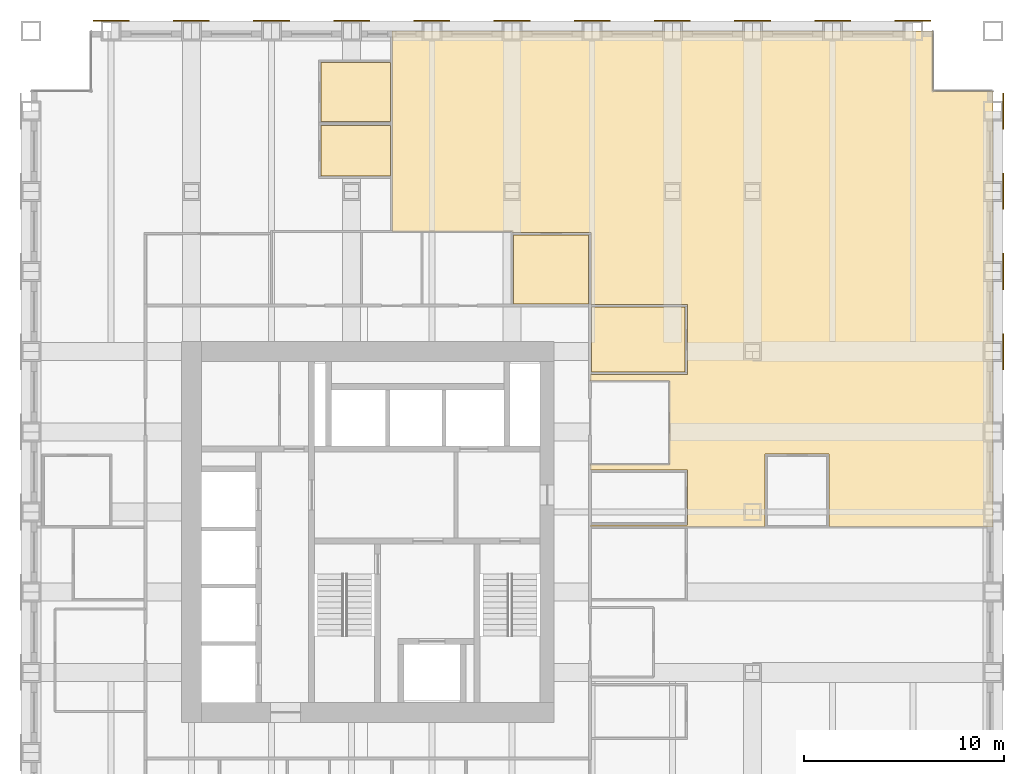
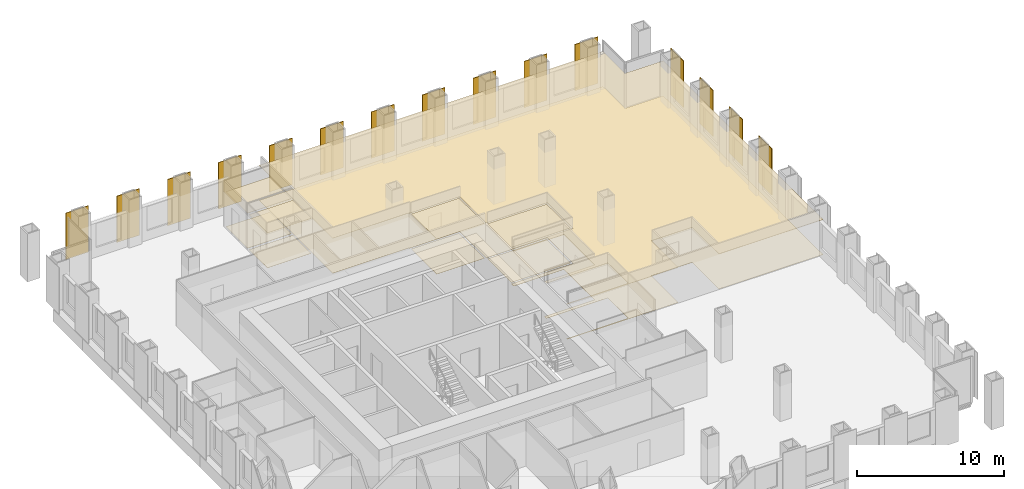
# One storey, part 16 of 16: 15 shading devices, 10 coverings.
"""IFC4 building model written with IfcOpenShell, lengths in metres."""

from ifc_helpers import new_model, si_unit, direction, frame, origin, origin_2d, place, context, subcontext, project, spatial, polyline, rectangle, outline, extrude, material, layer, layer_set, type_object, element, save


model = new_model("IFC4")

# Units and contexts
model_context = context("Model", 3, precision=1e-05, world=origin(), true_north=direction((0.0, 1.0)))
body_context = subcontext(model_context, "Body", "Model", "MODEL_VIEW")
ifc_project = project(units=[si_unit("LENGTHUNIT", "METRE"), si_unit("AREAUNIT", "SQUARE_METRE"), si_unit("VOLUMEUNIT", "CUBIC_METRE"), si_unit("PLANEANGLEUNIT", "RADIAN"), si_unit("MASSUNIT", "GRAM", prefix="KILO")], contexts=[model_context])

# Site, building, storey
site_placement = place(None, origin())
site = spatial("IfcSite", under=ifc_project, at=site_placement, CompositionType="ELEMENT")
building_placement = place(site_placement, origin())
building = spatial("IfcBuilding", under=site, at=building_placement, Name="Rimbunsela Tower", CompositionType="ELEMENT")
storey_placement = place(building_placement, frame((0.0, 0.0, 129.39990234375)))
storey = spatial("IfcBuildingStorey", under=building, at=storey_placement, Name="L31", CompositionType="ELEMENT", Elevation=129.39990234375)

# Coverings
ifc_material_1 = material(Name="Nylon carpet tile", Category="textile")
ifc_layer_1 = layer(ifc_material_1, 0.010009765625)
ifc_layer_set_1 = layer_set([ifc_layer_1], Name="Carpet tile 10")
covering_type_1 = type_object("IfcCoveringType", Name="Carpet tile 10", PredefinedType="FLOORING", material=ifc_layer_set_1)
covering_1_placement = place(storey_placement, origin())
element("IfcCovering", 1, at=covering_1_placement, inside=storey, type_object=covering_type_1, Name="Floor finish Open office", PredefinedType="FLOORING", context=body_context, shape_type="SweptSolid", body=[
    extrude(outline(polyline([(49.824951171875, 27.2509765625), (49.824951171875, 30.89990234375), (46.625, 30.89990234375), (46.625, 27.2509765625), (37.89990234375, 27.2509765625), (37.89990234375, 27.35009765625), (42.75, 27.35009765625), (42.75, 30.10009765625), (37.89990234375, 30.10009765625), (37.89990234375, 30.3759765625), (41.85009765625, 30.3759765625), (41.85009765625, 34.52587890625), (37.89990234375, 34.52587890625), (37.89990234375, 34.85009765625), (42.75, 34.85009765625), (42.75, 38.35009765625), (37.949951171875, 38.35009765625), (37.949951171875, 41.949951171875), (37.89990234375, 41.949951171875), (34.0, 41.949951171875), (34.0, 42.0), (28.0009765625, 42.0), (28.0009765625, 52.0), (37.89990234375, 52.0), (55.0, 52.0), (55.0, 49.0), (58.0, 49.0), (58.0, 27.2509765625), (49.824951171875, 27.2509765625)])), origin(), (0.0, 0.0, 1.0), 0.010009765625),
])
covering_2_placement = place(storey_placement, origin())
element("IfcCovering", 2, at=covering_2_placement, inside=storey, type_object=covering_type_1, Name="Floor finish Meeting room", PredefinedType="FLOORING", context=body_context, shape_type="SweptSolid", body=[
    extrude(outline(polyline([(37.824951171875, 38.375), (37.824951171875, 41.824951171875), (34.074951171875, 41.824951171875), (34.074951171875, 38.375), (37.824951171875, 38.375)])), origin(), (0.0, 0.0, 1.0), 0.010009765625),
])
covering_3_placement = place(storey_placement, origin())
element("IfcCovering", 3, at=covering_3_placement, inside=storey, type_object=covering_type_1, Name="Floor finish Print and copy room", PredefinedType="FLOORING", context=body_context, shape_type="SweptSolid", body=[
    extrude(outline(polyline([(27.925048828125, 44.77490234375), (27.925048828125, 47.27490234375), (24.47509765625, 47.27490234375), (24.47509765625, 44.77490234375), (27.925048828125, 44.77490234375)])), origin(), (0.0, 0.0, 1.0), 0.010009765625),
])
covering_4_placement = place(storey_placement, origin())
element("IfcCovering", 4, at=covering_4_placement, inside=storey, type_object=covering_type_1, Name="Floor finish Office", PredefinedType="FLOORING", context=body_context, shape_type="SweptSolid", body=[
    extrude(outline(polyline([(27.925048828125, 47.47509765625), (27.925048828125, 50.425048828125), (24.47509765625, 50.425048828125), (24.47509765625, 47.47509765625), (27.925048828125, 47.47509765625)])), origin(), (0.0, 0.0, 1.0), 0.010009765625),
])
covering_5_placement = place(storey_placement, origin())
element("IfcCovering", 5, at=covering_5_placement, inside=storey, type_object=covering_type_1, Name="Floor finish Pantry", PredefinedType="FLOORING", context=body_context, shape_type="SweptSolid", body=[
    extrude(outline(polyline([(42.625, 34.97509765625), (42.625, 38.22509765625), (37.97509765625, 38.22509765625), (37.97509765625, 34.97509765625), (42.625, 34.97509765625)])), origin(), (0.0, 0.0, 1.0), 0.010009765625),
])
ifc_material_2 = material(Name="Mineral fibre ceiling tile", Category="gypsum")
ifc_layer_2 = layer(ifc_material_2, 0.02001953125)
ifc_layer_set_2 = layer_set([ifc_layer_2], Name="Ceiling 600 grid")
covering_type_2 = type_object("IfcCoveringType", Name="Ceiling 600 grid", PredefinedType="CEILING", material=ifc_layer_set_2)
covering_6_placement = place(storey_placement, frame((0.0, 0.0, 2.900146484375)))
element("IfcCovering", 6, at=covering_6_placement, inside=storey, type_object=covering_type_2, Name="Ceiling Open office", PredefinedType="CEILING", context=body_context, shape_type="SweptSolid", body=[
    extrude(outline(polyline([(49.824951171875, 27.2509765625), (49.824951171875, 30.89990234375), (46.625, 30.89990234375), (46.625, 27.2509765625), (37.89990234375, 27.2509765625), (37.89990234375, 27.35009765625), (42.75, 27.35009765625), (42.75, 30.10009765625), (37.89990234375, 30.10009765625), (37.89990234375, 30.3759765625), (41.85009765625, 30.3759765625), (41.85009765625, 34.52587890625), (37.89990234375, 34.52587890625), (37.89990234375, 34.85009765625), (42.75, 34.85009765625), (42.75, 38.35009765625), (37.949951171875, 38.35009765625), (37.949951171875, 41.949951171875), (37.89990234375, 41.949951171875), (34.0, 41.949951171875), (34.0, 42.0), (28.0009765625, 42.0), (28.0009765625, 52.0), (37.89990234375, 52.0), (55.0, 52.0), (55.0, 49.0), (58.0, 49.0), (58.0, 27.2509765625), (49.824951171875, 27.2509765625)])), origin(), (0.0, 0.0, 1.0), 0.02001953125),
])
covering_7_placement = place(storey_placement, frame((0.0, 0.0, 2.900146484375)))
element("IfcCovering", 7, at=covering_7_placement, inside=storey, type_object=covering_type_2, Name="Ceiling Meeting room", PredefinedType="CEILING", context=body_context, shape_type="SweptSolid", body=[
    extrude(outline(polyline([(37.824951171875, 38.375), (37.824951171875, 41.824951171875), (34.074951171875, 41.824951171875), (34.074951171875, 38.375), (37.824951171875, 38.375)])), origin(), (0.0, 0.0, 1.0), 0.02001953125),
])
covering_8_placement = place(storey_placement, frame((0.0, 0.0, 2.900146484375)))
element("IfcCovering", 8, at=covering_8_placement, inside=storey, type_object=covering_type_2, Name="Ceiling Print and copy room", PredefinedType="CEILING", context=body_context, shape_type="SweptSolid", body=[
    extrude(outline(polyline([(27.925048828125, 44.77490234375), (27.925048828125, 47.27490234375), (24.47509765625, 47.27490234375), (24.47509765625, 44.77490234375), (27.925048828125, 44.77490234375)])), origin(), (0.0, 0.0, 1.0), 0.02001953125),
])
covering_9_placement = place(storey_placement, frame((0.0, 0.0, 2.900146484375)))
element("IfcCovering", 9, at=covering_9_placement, inside=storey, type_object=covering_type_2, Name="Ceiling Office", PredefinedType="CEILING", context=body_context, shape_type="SweptSolid", body=[
    extrude(outline(polyline([(27.925048828125, 47.47509765625), (27.925048828125, 50.425048828125), (24.47509765625, 50.425048828125), (24.47509765625, 47.47509765625), (27.925048828125, 47.47509765625)])), origin(), (0.0, 0.0, 1.0), 0.02001953125),
])
covering_10_placement = place(storey_placement, frame((0.0, 0.0, 2.900146484375)))
element("IfcCovering", 10, at=covering_10_placement, inside=storey, type_object=covering_type_2, Name="Ceiling Pantry", PredefinedType="CEILING", context=body_context, shape_type="SweptSolid", body=[
    extrude(outline(polyline([(42.625, 34.97509765625), (42.625, 38.22509765625), (37.97509765625, 38.22509765625), (37.97509765625, 34.97509765625), (42.625, 34.97509765625)])), origin(), (0.0, 0.0, 1.0), 0.02001953125),
])

# Shading devices
ifc_material_3 = material(Name="Perforated aluminium, 35 % open area", Category="aluminium")
ifc_layer_3 = layer(ifc_material_3, 0.050048828125)
ifc_layer_set_3 = layer_set([ifc_layer_3], Name="Solar screen panel 1800")
shading_device_type = type_object("IfcShadingDeviceType", Name="Solar screen panel 1800", PredefinedType="USERDEFINED", material=ifc_layer_set_3)
for number, where, z_axis, x_axis, name in (
    (11, (58.52490234375, 36.0, 0.0), (0.0, 0.0, 1.0), (0.0, 1.0, 0.0), "Solar screen E L31"),
    (12, (58.52490234375, 40.0, 0.0), (0.0, 0.0, 1.0), (0.0, 1.0, 0.0), "Solar screen E L31"),
    (13, (58.52490234375, 44.0, 0.0), (0.0, 0.0, 1.0), (0.0, 1.0, 0.0), "Solar screen E L31"),
    (14, (58.52490234375, 48.0, 0.0), (0.0, 0.0, 1.0), (0.0, 1.0, 0.0), "Solar screen E L31"),
    (15, (14.0, 52.52490234375, 0.0), (0.0, 0.0, 1.0), (1.0, 0.0, 0.0), "Solar screen N L31"),
    (16, (18.0, 52.52490234375, 0.0), (0.0, 0.0, 1.0), (1.0, 0.0, 0.0), "Solar screen N L31"),
    (17, (22.0, 52.52490234375, 0.0), (0.0, 0.0, 1.0), (1.0, 0.0, 0.0), "Solar screen N L31"),
    (18, (26.0, 52.52490234375, 0.0), (0.0, 0.0, 1.0), (1.0, 0.0, 0.0), "Solar screen N L31"),
    (19, (30.0, 52.52490234375, 0.0), (0.0, 0.0, 1.0), (1.0, 0.0, 0.0), "Solar screen N L31"),
    (20, (34.0, 52.52490234375, 0.0), (0.0, 0.0, 1.0), (1.0, 0.0, 0.0), "Solar screen N L31"),
    (21, (38.0, 52.52490234375, 0.0), (0.0, 0.0, 1.0), (1.0, 0.0, 0.0), "Solar screen N L31"),
    (22, (42.0, 52.52490234375, 0.0), (0.0, 0.0, 1.0), (1.0, 0.0, 0.0), "Solar screen N L31"),
    (23, (46.0, 52.52490234375, 0.0), (0.0, 0.0, 1.0), (1.0, 0.0, 0.0), "Solar screen N L31"),
    (24, (50.0, 52.52490234375, 0.0), (0.0, 0.0, 1.0), (1.0, 0.0, 0.0), "Solar screen N L31"),
    (25, (54.0, 52.52490234375, 0.0), (0.0, 0.0, 1.0), (1.0, 0.0, 0.0), "Solar screen N L31"),
):
    element("IfcShadingDevice", number, at=place(storey_placement, frame(where, z_axis=z_axis, x_axis=x_axis)), inside=storey, type_object=shading_device_type, Name=name, ObjectType="SCREEN", PredefinedType="USERDEFINED", context=body_context, shape_type="SweptSolid", body=[
        extrude(rectangle(XDim=1.800048828125, YDim=0.050048828125, at=origin_2d()), origin(), (0.0, 0.0, 1.0), 3.85009765625),
    ])

save(model, "model.ifc")
